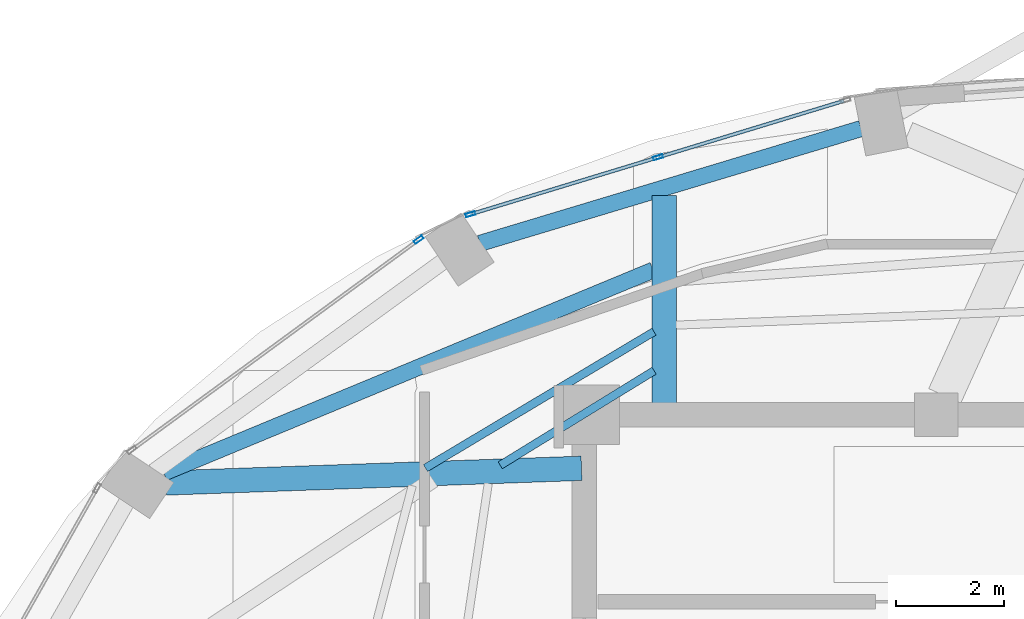
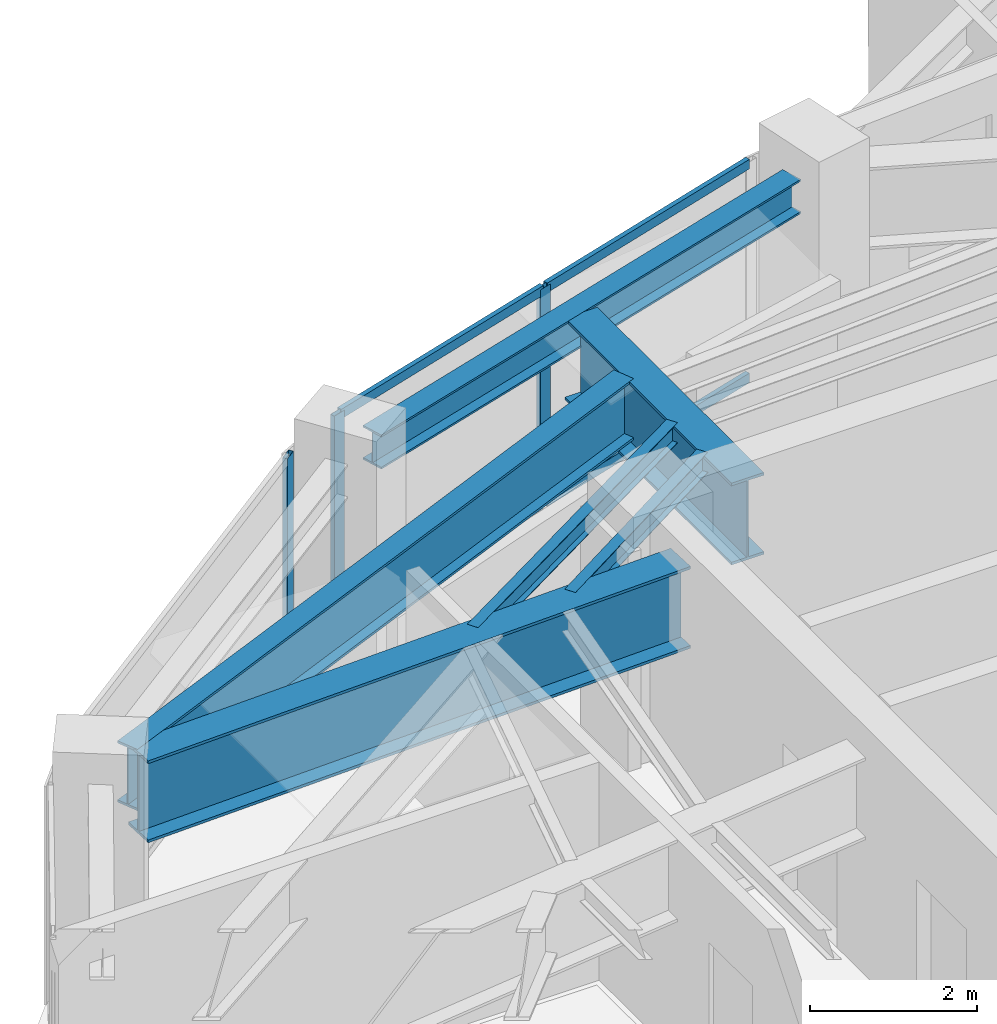
# One storey, part 10 of 23: 7 members, 6 beams, 2 elements without a shape of their own.
"""IFC4 building model written with IfcOpenShell, lengths in metres."""

from ifc_helpers import new_model, si_unit, direction, frame, origin, origin_2d, place, context, subcontext, project, spatial, hollow_rectangle, i_section, extrude, material, layer, layer_set, material_profile, profile_set, type_object, element, aggregate, save


model = new_model("IFC4")

# Units and contexts
model_context = context("Model", 3, precision=1e-05, world=origin(), true_north=direction((0.0, 1.0)))
body_context = subcontext(model_context, "Body", "Model", "MODEL_VIEW")
ifc_project = project(units=[si_unit("LENGTHUNIT", "METRE"), si_unit("AREAUNIT", "SQUARE_METRE"), si_unit("VOLUMEUNIT", "CUBIC_METRE"), si_unit("PLANEANGLEUNIT", "RADIAN"), si_unit("MASSUNIT", "GRAM", prefix="KILO")], contexts=[model_context])

# Site, building, storey
site_placement = place(None, origin())
site = spatial("IfcSite", under=ifc_project, at=site_placement, CompositionType="ELEMENT")
building_placement = place(site_placement, origin())
building = spatial("IfcBuilding", under=site, at=building_placement, Name="Lazwardi Medical Tower", CompositionType="ELEMENT")
storey_placement = place(building_placement, frame((0.0, 0.0, 265.968017578125)))
storey = spatial("IfcBuildingStorey", under=building, at=storey_placement, Name="L69", CompositionType="ELEMENT", Elevation=265.968017578125)

# Beams
ifc_material_1 = material(Name="Steel S460", Category="steel")
ifc_material_profile_1 = material_profile(ifc_material_1, i_section(OverallWidth=0.300048828125, OverallDepth=0.89990234375, WebThickness=0.0185546875, FlangeThickness=0.034912109375, at=origin_2d()), Name="HEB 900")
ifc_profile_set_1 = profile_set([ifc_material_profile_1], Name="Steel S460")
beam_type_1 = type_object("IfcBeamType", Name="BM-HB-01", PredefinedType="BEAM", material=ifc_profile_set_1)
beam_1_placement = place(storey_placement, frame((27.574462890625, 38.273193359375, 2.748046875), z_axis=(-0.923831007772, -0.382800560447, 0.0), x_axis=(0.382800560447, -0.923831007772, 0.0)))
element("IfcBeam", 1, at=beam_1_placement, inside=storey, type_object=beam_type_1, Name="Transfer girder tie HB-01 M10 L69", PredefinedType="BEAM", context=body_context, shape_type="SweptSolid", body=[
    extrude(i_section(OverallWidth=0.300048828125, OverallDepth=0.89990234375, WebThickness=0.0185546875, FlangeThickness=0.034912109375, at=origin_2d()), origin(), (0.0, 0.0, 1.0), 9.785400390625),
])
ifc_material_2 = material(Name="Steel S355", Category="steel")
ifc_material_profile_2 = material_profile(ifc_material_2, i_section(OverallWidth=0.300048828125, OverallDepth=0.5, WebThickness=0.014404296875, FlangeThickness=0.028076171875, at=origin_2d()), Name="HEB 500")
ifc_profile_set_2 = profile_set([ifc_material_profile_2], Name="Steel S355")
beam_type_2 = type_object("IfcBeamType", Name="BM-RB-Z4", PredefinedType="BEAM", material=ifc_profile_set_2)
beam_2_placement = place(storey_placement, frame((31.41259765625, 40.885986328125, 2.947998046875), z_axis=(-0.957544311906, -0.288286126506, 0.0), x_axis=(0.288286126506, -0.957544311906, 0.0)))
element("IfcBeam", 2, at=beam_2_placement, inside=storey, type_object=beam_type_2, Name="Ring beam RB-05 B09 L69", PredefinedType="BEAM", context=body_context, shape_type="SweptSolid", body=[
    extrude(i_section(OverallWidth=0.300048828125, OverallDepth=0.5, WebThickness=0.014404296875, FlangeThickness=0.028076171875, at=origin_2d()), origin(), (0.0, 0.0, 1.0), 7.3515625),
])
ifc_material_profile_3 = material_profile(ifc_material_2, i_section(OverallWidth=0.14990234375, OverallDepth=0.300048828125, WebThickness=0.007080078125, FlangeThickness=0.0107421875, at=origin_2d()), Name="IPE 300")
ifc_profile_set_3 = profile_set([ifc_material_profile_3], Name="Steel S355")
beam_type_3 = type_object("IfcBeamType", Name="BM-SJ-03", PredefinedType="JOIST", material=ifc_profile_set_3)
beam_3_placement = place(storey_placement, frame((27.588623046875, 37.1357421875, 3.048095703125), z_axis=(-0.858661098426, -0.512543771839, 0.0), x_axis=(0.512543771839, -0.858661098426, 0.0)))
element("IfcBeam", 3, at=beam_3_placement, inside=storey, type_object=beam_type_3, Name="Secondary joist SJ-03 R3 B10 L69", PredefinedType="JOIST", context=body_context, shape_type="SweptSolid", body=[
    extrude(i_section(OverallWidth=0.14990234375, OverallDepth=0.300048828125, WebThickness=0.007080078125, FlangeThickness=0.0107421875, at=origin_2d()), origin(), (0.0, 0.0, 1.0), 4.914306640625),
])
beam_4_placement = place(storey_placement, frame((27.590087890625, 36.4140625, 3.048095703125), z_axis=(-0.852012544082, -0.523521369886, 0.0), x_axis=(0.523521369886, -0.852012544082, 0.0)))
element("IfcBeam", 4, at=beam_4_placement, inside=storey, type_object=beam_type_3, Name="Secondary joist SJ-03 R4 B10 L69", PredefinedType="JOIST", context=body_context, shape_type="SweptSolid", body=[
    extrude(i_section(OverallWidth=0.14990234375, OverallDepth=0.300048828125, WebThickness=0.007080078125, FlangeThickness=0.0107421875, at=origin_2d()), origin(), (0.0, 0.0, 1.0), 3.334716796875),
])
ifc_material_profile_4 = material_profile(ifc_material_1, i_section(OverallWidth=0.449951171875, OverallDepth=1.199951171875, WebThickness=0.02490234375, FlangeThickness=0.0400390625, at=origin_2d()), Name="PG 1200x450")
ifc_profile_set_4 = profile_set([ifc_material_profile_4], Name="Steel S460")
beam_type_4 = type_object("IfcBeamType", Name="BM-TG-02", PredefinedType="BEAM", material=ifc_profile_set_4)
beam_5_placement = place(storey_placement, frame((27.777587890625, 39.646484375, 2.597900390625), z_axis=(0.0, -1.0, 0.0), x_axis=(1.0, 0.0, 0.0)))
element("IfcBeam", 5, at=beam_5_placement, inside=storey, type_object=beam_type_4, Name="Transfer girder TG-02 M10 L69", PredefinedType="BEAM", context=body_context, shape_type="SweptSolid", body=[
    extrude(i_section(OverallWidth=0.449951171875, OverallDepth=1.199951171875, WebThickness=0.02490234375, FlangeThickness=0.0400390625, at=origin_2d()), origin(), (0.0, 0.0, 1.0), 3.99658203125),
])
beam_6_placement = place(storey_placement, frame((18.574951171875, 34.34130859375, 2.597900390625), z_axis=(0.999374985519, 0.035350223746, 0.0), x_axis=(-0.035350223746, 0.999374985519, 0.0)))
element("IfcBeam", 6, at=beam_6_placement, inside=storey, type_object=beam_type_4, Name="Transfer girder TG-02 M11 L69", PredefinedType="BEAM", context=body_context, shape_type="SweptSolid", body=[
    extrude(i_section(OverallWidth=0.449951171875, OverallDepth=1.199951171875, WebThickness=0.02490234375, FlangeThickness=0.0400390625, at=origin_2d()), origin(), (0.0, 0.0, 1.0), 7.679931640625),
])

# Curtain wall, members
ifc_material_3 = material(Name="Anodised bronze aluminium and solar control glazing", Category="aluminium")
ifc_layer = layer(ifc_material_3, 0.18994140625)
ifc_layer_set = layer_set([ifc_layer], Name="Anodised bronze aluminium and solar control glazing")
curtain_wall_type = type_object("IfcCurtainWallType", Name="CW-SYS-04", PredefinedType="NOTDEFINED", material=ifc_layer_set)
curtain_wall_1_placement = place(storey_placement, origin())
curtain_wall_1 = element("IfcCurtainWall", 7, at=curtain_wall_1_placement, inside=storey, type_object=curtain_wall_type, Name="L69 Unitised bronze curtain wall CW-04", PredefinedType="NOTDEFINED")
ifc_material_4 = material(Name="Anodised bronze aluminium", Category="aluminium")
ifc_material_profile_5 = material_profile(ifc_material_4, hollow_rectangle(XDim=0.06494140625, YDim=0.179931640625, WallThickness=0.00390625, at=origin_2d()), Name="ALU-MULLION 180x65x4")
ifc_profile_set_5 = profile_set([ifc_material_profile_5], Name="Anodised bronze aluminium")
member_type_1 = type_object("IfcMemberType", Name="CW-MUL-03", PredefinedType="MULLION", material=ifc_profile_set_5)
member_1_placement = place(storey_placement, frame((27.66357421875, 40.355224609375, 0.0), z_axis=(0.0, 0.0, 1.0), x_axis=(0.290581889515, -0.956850126972, 0.0)))
member_1 = element("IfcMember", 8, at=member_1_placement, type_object=member_type_1, Name="CW-04 mullion 2", PredefinedType="MULLION", context=body_context, shape_type="SweptSolid", body=[
    extrude(hollow_rectangle(XDim=0.06494140625, YDim=0.179931640625, WallThickness=0.00390625, at=origin_2d()), origin(), (0.0, 0.0, 1.0), 3.197998046875),
])
member_2_placement = place(storey_placement, frame((24.2001953125, 39.303466796875, 0.0), z_axis=(0.0, 0.0, 1.0), x_axis=(0.290581889515, -0.956850126972, 0.0)))
member_2 = element("IfcMember", 9, at=member_2_placement, type_object=member_type_1, Name="CW-04 mullion 3", PredefinedType="MULLION", context=body_context, shape_type="SweptSolid", body=[
    extrude(hollow_rectangle(XDim=0.06494140625, YDim=0.179931640625, WallThickness=0.00390625, at=origin_2d()), origin(), (0.0, 0.0, 1.0), 3.197998046875),
])

# Curtain wall, member
curtain_wall_2_placement = place(storey_placement, origin())
curtain_wall_2 = element("IfcCurtainWall", 10, at=curtain_wall_2_placement, inside=storey, type_object=curtain_wall_type, Name="L69 Unitised bronze curtain wall CW-04", PredefinedType="NOTDEFINED")
member_3_placement = place(storey_placement, frame((23.24462890625, 38.8349609375, 0.0), z_axis=(0.0, 0.0, 1.0), x_axis=(0.591268230971, -0.806474971121, 0.0)))
member_3 = element("IfcMember", 11, at=member_3_placement, type_object=member_type_1, Name="CW-04 mullion 1", PredefinedType="MULLION", context=body_context, shape_type="SweptSolid", body=[
    extrude(hollow_rectangle(XDim=0.06494140625, YDim=0.179931640625, WallThickness=0.00390625, at=origin_2d()), origin(), (0.0, 0.0, 1.0), 3.197998046875),
])
aggregate(curtain_wall_2, [member_3])

# Member
ifc_material_profile_6 = material_profile(ifc_material_4, hollow_rectangle(XDim=0.06494140625, YDim=0.139892578125, WallThickness=0.00341796875, at=origin_2d()), Name="ALU-TRANSOM 140x65x3.5")
ifc_profile_set_6 = profile_set([ifc_material_profile_6], Name="Anodised bronze aluminium")
member_type_2 = type_object("IfcMemberType", Name="CW-TRN-03", PredefinedType="USERDEFINED", material=ifc_profile_set_6)
member_4_placement = place(storey_placement, frame((31.095703125, 41.397705078125, 0.032470703125), z_axis=(-0.956843409009, -0.290604010015, 0.0), x_axis=(0.290604010015, -0.956843409009, 0.0)))
member_4 = element("IfcMember", 12, at=member_4_placement, type_object=member_type_2, Name="CW-04 transom 1.1", ObjectType="TRANSOM", PredefinedType="USERDEFINED", context=body_context, shape_type="SweptSolid", body=[
    extrude(hollow_rectangle(XDim=0.06494140625, YDim=0.139892578125, WallThickness=0.00341796875, at=origin_2d()), origin(), (0.0, 0.0, 1.0), 3.554443359375),
])

member_5_placement = place(storey_placement, frame((31.095703125, 41.397705078125, 3.16552734375), z_axis=(-0.956843409009, -0.290604010015, 0.0), x_axis=(0.290604010015, -0.956843409009, 0.0)))
member_5 = element("IfcMember", 13, at=member_5_placement, type_object=member_type_2, Name="CW-04 transom 1.2", ObjectType="TRANSOM", PredefinedType="USERDEFINED", context=body_context, shape_type="SweptSolid", body=[
    extrude(hollow_rectangle(XDim=0.06494140625, YDim=0.139892578125, WallThickness=0.00341796875, at=origin_2d()), origin(), (0.0, 0.0, 1.0), 3.554443359375),
])

member_6_placement = place(storey_placement, frame((27.632568359375, 40.345947265625, 0.032470703125), z_axis=(-0.956843409009, -0.290604010015, 0.0), x_axis=(0.290604010015, -0.956843409009, 0.0)))
member_6 = element("IfcMember", 14, at=member_6_placement, type_object=member_type_2, Name="CW-04 transom 2.1", ObjectType="TRANSOM", PredefinedType="USERDEFINED", context=body_context, shape_type="SweptSolid", body=[
    extrude(hollow_rectangle(XDim=0.06494140625, YDim=0.139892578125, WallThickness=0.00341796875, at=origin_2d()), origin(), (0.0, 0.0, 1.0), 3.554443359375),
])

member_7_placement = place(storey_placement, frame((27.632568359375, 40.345947265625, 3.16552734375), z_axis=(-0.956843409009, -0.290604010015, 0.0), x_axis=(0.290604010015, -0.956843409009, 0.0)))
member_7 = element("IfcMember", 15, at=member_7_placement, type_object=member_type_2, Name="CW-04 transom 2.2", ObjectType="TRANSOM", PredefinedType="USERDEFINED", context=body_context, shape_type="SweptSolid", body=[
    extrude(hollow_rectangle(XDim=0.06494140625, YDim=0.139892578125, WallThickness=0.00341796875, at=origin_2d()), origin(), (0.0, 0.0, 1.0), 3.554443359375),
])

aggregate(curtain_wall_1, [member_1, member_2, member_4, member_5, member_6, member_7])

save(model, "model.ifc")
